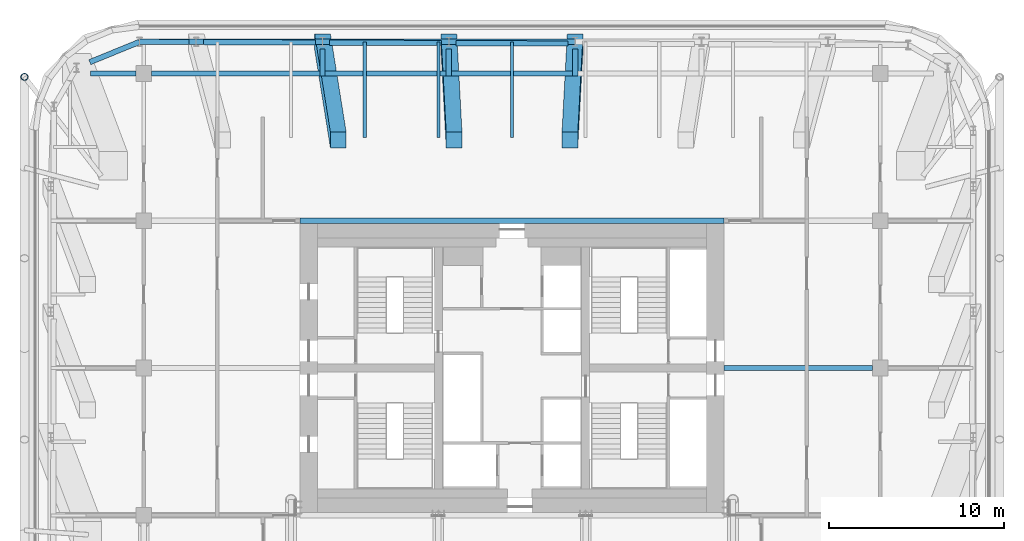
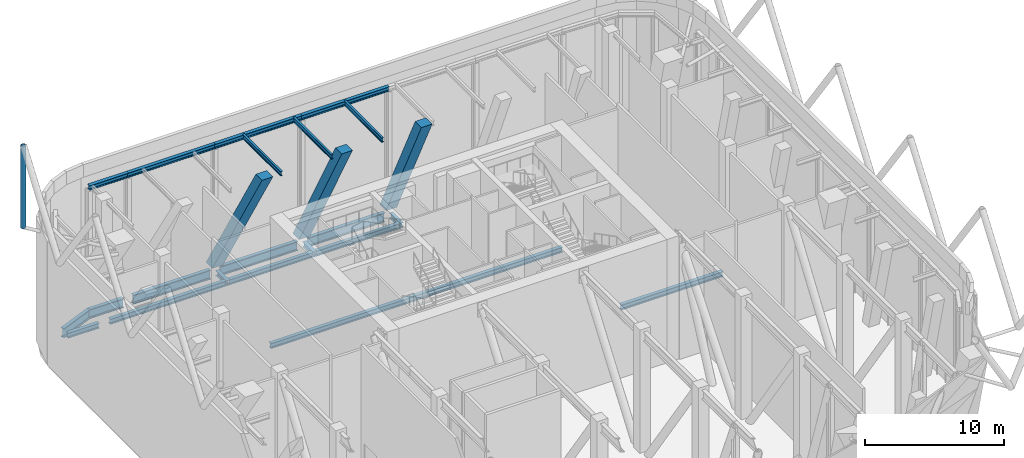
# One storey, part 7 of 20: 21 beams, 4 members.
"""IFC4 building model written with IfcOpenShell, lengths in metres."""

from ifc_helpers import new_model, si_unit, direction, frame, origin, origin_2d, place, context, subcontext, project, spatial, rectangle, hollow_circle, i_section, extrude, material, material_profile, profile_set, type_object, element, save


model = new_model("IFC4")

# Units and contexts
model_context = context("Model", 3, precision=1e-05, world=origin(), true_north=direction((0.0, 1.0)))
body_context = subcontext(model_context, "Body", "Model", "MODEL_VIEW")
ifc_project = project(units=[si_unit("LENGTHUNIT", "METRE"), si_unit("AREAUNIT", "SQUARE_METRE"), si_unit("VOLUMEUNIT", "CUBIC_METRE"), si_unit("PLANEANGLEUNIT", "RADIAN"), si_unit("MASSUNIT", "GRAM", prefix="KILO")], contexts=[model_context])

# Site, building, storey
site_placement = place(None, origin())
site = spatial("IfcSite", under=ifc_project, at=site_placement, CompositionType="ELEMENT")
building_placement = place(site_placement, origin())
building = spatial("IfcBuilding", under=site, at=building_placement, Name="Marenta Gate Hotel Tower", CompositionType="ELEMENT")
storey_placement = place(building_placement, frame((0.0, 0.0, 169.699951171875)))
storey = spatial("IfcBuildingStorey", under=building, at=storey_placement, Name="L40", CompositionType="ELEMENT", Elevation=169.699951171875)

# Member
ifc_material_1 = material(Name="Steel S355J2W", Category="steel")
ifc_material_profile_1 = material_profile(ifc_material_1, hollow_circle(Radius=0.203125, WallThickness=0.02490234375, at=origin_2d()), Name="CHS 406.4x25")
ifc_profile_set_1 = profile_set([ifc_material_profile_1], Name="Steel S355J2W")
member_type_1 = type_object("IfcMemberType", Name="Diagrid corner post Z3 CHS 406.4x25", PredefinedType="POST", material=ifc_profile_set_1)
member_1_placement = place(storey_placement, frame((-27.800048828125, 25.0, 10.340087890625), z_axis=(0.0, 0.0, 1.0), x_axis=(1.0, 0.0, 0.0)))
element("IfcMember", 1, at=member_1_placement, inside=storey, type_object=member_type_1, Name="L40-DR-6", PredefinedType="POST", context=body_context, shape_type="SweptSolid", body=[
    extrude(hollow_circle(Radius=0.203125, WallThickness=0.02490234375, at=origin_2d()), origin(), (0.0, 0.0, 1.0), 7.199951171875),
])

# Beams
ifc_material_2 = material(Name="Steel S355", Category="steel")
ifc_material_profile_2 = material_profile(ifc_material_2, i_section(OverallWidth=0.302978515625, OverallDepth=0.81396484375, WebThickness=0.030029296875, FlangeThickness=0.052001953125, FilletRadius=0.030029296875, at=origin_2d()), Name="HEM 800")
ifc_profile_set_2 = profile_set([ifc_material_profile_2], Name="Steel S355")
beam_type_1 = type_object("IfcBeamType", Name="Edge beam HEM 800", PredefinedType="SPANDREL", material=ifc_profile_set_2)
beam_1_placement = place(storey_placement, frame((-24.072509765625, 25.839111328125, -0.70703125), z_axis=(0.925565978946, 0.378586342356, 0.0), x_axis=(-0.378586342356, 0.925565978946, 0.0)))
element("IfcBeam", 2, at=beam_1_placement, inside=storey, type_object=beam_type_1, Name="L40-EB-12", PredefinedType="SPANDREL", context=body_context, shape_type="SweptSolid", body=[
    extrude(i_section(OverallWidth=0.302978515625, OverallDepth=0.81396484375, WebThickness=0.030029296875, FlangeThickness=0.052001953125, FilletRadius=0.030029296875, at=origin_2d()), origin(), (0.0, 0.0, 1.0), 3.06640625),
])
beam_2_placement = place(storey_placement, frame((-21.234375, 27.0, -0.70703125), z_axis=(0.999991706293, -0.004072756516, 0.0), x_axis=(0.004072756516, 0.999991706293, 0.0)))
element("IfcBeam", 3, at=beam_2_placement, inside=storey, type_object=beam_type_1, Name="L40-EB-13", PredefinedType="SPANDREL", context=body_context, shape_type="SweptSolid", body=[
    extrude(i_section(OverallWidth=0.302978515625, OverallDepth=0.81396484375, WebThickness=0.030029296875, FlangeThickness=0.052001953125, FilletRadius=0.030029296875, at=origin_2d()), origin(), (0.0, 0.0, 1.0), 2.8173828125),
])
beam_3_placement = place(storey_placement, frame((-17.596923828125, 26.985107421875, -0.70703125), z_axis=(0.999991780748, -0.00405443424, 0.0), x_axis=(0.00405443424, 0.999991780748, 0.0)))
element("IfcBeam", 4, at=beam_3_placement, inside=storey, type_object=beam_type_1, Name="L40-EB-14", PredefinedType="SPANDREL", context=body_context, shape_type="SweptSolid", body=[
    extrude(i_section(OverallWidth=0.302978515625, OverallDepth=0.81396484375, WebThickness=0.030029296875, FlangeThickness=0.052001953125, FilletRadius=0.030029296875, at=origin_2d()), origin(), (0.0, 0.0, 1.0), 6.3828125),
])
beam_4_placement = place(storey_placement, frame((-10.39404296875, 26.955810546875, -0.70703125), z_axis=(0.999991624297, -0.004092839529, 0.0), x_axis=(0.004092839529, 0.999991624297, 0.0)))
element("IfcBeam", 5, at=beam_4_placement, inside=storey, type_object=beam_type_1, Name="L40-EB-15", PredefinedType="SPANDREL", context=body_context, shape_type="SweptSolid", body=[
    extrude(i_section(OverallWidth=0.302978515625, OverallDepth=0.81396484375, WebThickness=0.030029296875, FlangeThickness=0.052001953125, FilletRadius=0.030029296875, at=origin_2d()), origin(), (0.0, 0.0, 1.0), 6.382568359375),
])
beam_5_placement = place(storey_placement, frame((-3.19140625, 26.926513671875, -0.70703125), z_axis=(0.999991624938, -0.004092682982, 0.0), x_axis=(0.004092682982, 0.999991624938, 0.0)))
element("IfcBeam", 6, at=beam_5_placement, inside=storey, type_object=beam_type_1, Name="L40-EB-16", PredefinedType="SPANDREL", context=body_context, shape_type="SweptSolid", body=[
    extrude(i_section(OverallWidth=0.302978515625, OverallDepth=0.81396484375, WebThickness=0.030029296875, FlangeThickness=0.052001953125, FilletRadius=0.030029296875, at=origin_2d()), origin(), (0.0, 0.0, 1.0), 6.3828125),
])

# Members
ifc_material_3 = material(Name="Concrete C70", Category="concrete")
ifc_material_profile_3 = material_profile(ifc_material_3, rectangle(XDim=0.89990234375, YDim=0.89990234375, at=origin_2d()), Name="900 x 900")
ifc_profile_set_3 = profile_set([ifc_material_profile_3], Name="Concrete C70")
member_type_2 = type_object("IfcMemberType", Name="Edge column raked 900 x 900 C70", PredefinedType="STRUT", material=ifc_profile_set_3)
member_2_placement = place(storey_placement, frame((-10.80419921875, 27.0, 0.0), z_axis=(0.0, 0.0, 1.0), x_axis=(1.0, 0.0, 0.0)))
element("IfcMember", 7, at=member_2_placement, inside=storey, type_object=member_type_2, Name="L40-EC-NW-NE-2", PredefinedType="STRUT", context=body_context, shape_type="SweptSolid", body=[
    extrude(rectangle(XDim=0.89990234375, YDim=0.89990234375, at=origin_2d()), origin(), (0.073789337553, -0.459066944614, 0.885331956966), 12.198974609375),
])
member_3_placement = place(storey_placement, frame((-3.601318359375, 27.0, 0.0), z_axis=(0.0, 0.0, 1.0), x_axis=(1.0, 0.0, 0.0)))
element("IfcMember", 8, at=member_3_placement, inside=storey, type_object=member_type_2, Name="L40-EC-NW-NE-3", PredefinedType="STRUT", context=body_context, shape_type="SweptSolid", body=[
    extrude(rectangle(XDim=0.89990234375, YDim=0.89990234375, at=origin_2d()), origin(), (0.024636134915, -0.460182135741, 0.88748265493), 12.169189453125),
])
member_4_placement = place(storey_placement, frame((3.601318359375, 27.0, 0.0), z_axis=(0.0, 0.0, 1.0), x_axis=(1.0, 0.0, 0.0)))
element("IfcMember", 9, at=member_4_placement, inside=storey, type_object=member_type_2, Name="L40-EC-NW-NE-4", PredefinedType="STRUT", context=body_context, shape_type="SweptSolid", body=[
    extrude(rectangle(XDim=0.89990234375, YDim=0.89990234375, at=origin_2d()), origin(), (-0.024636134915, -0.460182135741, 0.88748265493), 12.169189453125),
])

# Beams
ifc_material_4 = material(Name="Steel S355", Category="steel")
ifc_material_profile_4 = material_profile(ifc_material_4, i_section(OverallWidth=0.300048828125, OverallDepth=0.449951171875, WebThickness=0.013916015625, FlangeThickness=0.02587890625, FilletRadius=0.027099609375, at=origin_2d()), Name="HEB 450")
ifc_profile_set_4 = profile_set([ifc_material_profile_4], Name="Steel S355")
beam_type_2 = type_object("IfcBeamType", Name="Girder HEB 450", PredefinedType="BEAM", material=ifc_profile_set_4)
beam_6_placement = place(storey_placement, frame((12.10009765625, 8.39990234375, -0.52490234375), z_axis=(1.0, 0.0, 0.0), x_axis=(0.0, 1.0, 0.0)))
element("IfcBeam", 10, at=beam_6_placement, inside=storey, type_object=beam_type_2, Name="L40-GD-24", PredefinedType="BEAM", context=body_context, shape_type="SweptSolid", body=[
    extrude(i_section(OverallWidth=0.300048828125, OverallDepth=0.449951171875, WebThickness=0.013916015625, FlangeThickness=0.02587890625, FilletRadius=0.027099609375, at=origin_2d()), origin(), (0.0, 0.0, 1.0), 8.449951171875),
])
beam_7_placement = place(storey_placement, frame((-12.10009765625, 16.800048828125, -0.52490234375), z_axis=(1.0, 0.0, 0.0), x_axis=(0.0, 1.0, 0.0)))
element("IfcBeam", 11, at=beam_7_placement, inside=storey, type_object=beam_type_2, Name="L40-GD-28", PredefinedType="BEAM", context=body_context, shape_type="SweptSolid", body=[
    extrude(i_section(OverallWidth=0.300048828125, OverallDepth=0.449951171875, WebThickness=0.013916015625, FlangeThickness=0.02587890625, FilletRadius=0.027099609375, at=origin_2d()), origin(), (0.0, 0.0, 1.0), 24.2001953125),
])
beam_8_placement = place(storey_placement, frame((-24.035400390625, 25.199951171875, -0.52490234375), z_axis=(1.0, 0.0, 0.0), x_axis=(0.0, 1.0, 0.0)))
element("IfcBeam", 12, at=beam_8_placement, inside=storey, type_object=beam_type_2, Name="L40-GD-31", PredefinedType="BEAM", context=body_context, shape_type="SweptSolid", body=[
    extrude(i_section(OverallWidth=0.300048828125, OverallDepth=0.449951171875, WebThickness=0.013916015625, FlangeThickness=0.02587890625, FilletRadius=0.027099609375, at=origin_2d()), origin(), (0.0, 0.0, 1.0), 2.58544921875),
])
beam_9_placement = place(storey_placement, frame((-20.550048828125, 25.199951171875, -0.52490234375), z_axis=(1.0, 0.0, 0.0), x_axis=(0.0, 1.0, 0.0)))
element("IfcBeam", 13, at=beam_9_placement, inside=storey, type_object=beam_type_2, Name="L40-GD-32", PredefinedType="BEAM", context=body_context, shape_type="SweptSolid", body=[
    extrude(i_section(OverallWidth=0.300048828125, OverallDepth=0.449951171875, WebThickness=0.013916015625, FlangeThickness=0.02587890625, FilletRadius=0.027099609375, at=origin_2d()), origin(), (0.0, 0.0, 1.0), 9.595947265625),
])
beam_10_placement = place(storey_placement, frame((-10.654052734375, 25.199951171875, -0.52490234375), z_axis=(1.0, 0.0, 0.0), x_axis=(0.0, 1.0, 0.0)))
element("IfcBeam", 14, at=beam_10_placement, inside=storey, type_object=beam_type_2, Name="L40-GD-33", PredefinedType="BEAM", context=body_context, shape_type="SweptSolid", body=[
    extrude(i_section(OverallWidth=0.300048828125, OverallDepth=0.449951171875, WebThickness=0.013916015625, FlangeThickness=0.02587890625, FilletRadius=0.027099609375, at=origin_2d()), origin(), (0.0, 0.0, 1.0), 6.902587890625),
])
beam_11_placement = place(storey_placement, frame((-3.451416015625, 25.199951171875, -0.52490234375), z_axis=(1.0, 0.0, 0.0), x_axis=(0.0, 1.0, 0.0)))
element("IfcBeam", 15, at=beam_11_placement, inside=storey, type_object=beam_type_2, Name="L40-GD-34", PredefinedType="BEAM", context=body_context, shape_type="SweptSolid", body=[
    extrude(i_section(OverallWidth=0.300048828125, OverallDepth=0.449951171875, WebThickness=0.013916015625, FlangeThickness=0.02587890625, FilletRadius=0.027099609375, at=origin_2d()), origin(), (0.0, 0.0, 1.0), 6.90283203125),
])
ifc_material_5 = material(Name="Steel S355", Category="steel")
ifc_material_profile_5 = material_profile(ifc_material_5, i_section(OverallWidth=0.300048828125, OverallDepth=0.449951171875, WebThickness=0.013916015625, FlangeThickness=0.02587890625, FilletRadius=0.027099609375, at=origin_2d()), Name="HEB 450")
ifc_profile_set_5 = profile_set([ifc_material_profile_5], Name="Steel S355")
beam_type_3 = type_object("IfcBeamType", Name="Girder bracket HEB 450", PredefinedType="BEAM", material=ifc_profile_set_5)
for number, where, z_axis, x_axis, name in (
    (16, (-10.80419921875, 25.050048828125, -0.52490234375), (0.0, 1.0, 0.0), (-1.0, 0.0, 0.0), "L40-GS-1"),
    (17, (-3.601318359375, 25.050048828125, -0.52490234375), (0.0, 1.0, 0.0), (-1.0, 0.0, 0.0), "L40-GS-2"),
    (18, (3.601318359375, 25.050048828125, -0.52490234375), (0.0, 1.0, 0.0), (-1.0, 0.0, 0.0), "L40-GS-3"),
):
    element("IfcBeam", number, at=place(storey_placement, frame(where, z_axis=z_axis, x_axis=x_axis)), inside=storey, type_object=beam_type_3, Name=name, PredefinedType="BEAM", context=body_context, shape_type="SweptSolid", body=[
        extrude(i_section(OverallWidth=0.300048828125, OverallDepth=0.449951171875, WebThickness=0.013916015625, FlangeThickness=0.02587890625, FilletRadius=0.027099609375, at=origin_2d()), origin(), (0.0, 0.0, 1.0), 1.5400390625),
    ])
ifc_material_6 = material(Name="Steel S355", Category="steel")
ifc_material_profile_6 = material_profile(ifc_material_6, i_section(OverallWidth=0.179931640625, OverallDepth=0.39990234375, WebThickness=0.008544921875, FlangeThickness=0.013427734375, FilletRadius=0.02099609375, at=origin_2d()), Name="IPE 400")
ifc_profile_set_6 = profile_set([ifc_material_profile_6], Name="Steel S355")
beam_type_4 = type_object("IfcBeamType", Name="Terrace beam IPE 400", PredefinedType="JOIST", material=ifc_profile_set_6)
for number, where, z_axis, x_axis, name in (
    (19, (-8.39990234375, 21.551025390625, 10.340087890625), (0.0, 1.0, 0.0), (-1.0, 0.0, 0.0), "L40-TB-5"),
    (20, (-4.199951171875, 21.551025390625, 10.340087890625), (0.0, 1.0, 0.0), (-1.0, 0.0, 0.0), "L40-TB-6"),
    (21, (0.0, 21.551025390625, 10.340087890625), (0.0, 1.0, 0.0), (-1.0, 0.0, 0.0), "L40-TB-7"),
):
    element("IfcBeam", number, at=place(storey_placement, frame(where, z_axis=z_axis, x_axis=x_axis)), inside=storey, type_object=beam_type_4, Name=name, PredefinedType="JOIST", context=body_context, shape_type="SweptSolid", body=[
        extrude(i_section(OverallWidth=0.179931640625, OverallDepth=0.39990234375, WebThickness=0.008544921875, FlangeThickness=0.013427734375, FilletRadius=0.02099609375, at=origin_2d()), origin(), (0.0, 0.0, 1.0), 5.448974609375),
    ])
ifc_material_7 = material(Name="Steel S355", Category="steel")
ifc_material_profile_7 = material_profile(ifc_material_7, i_section(OverallWidth=0.300048828125, OverallDepth=0.39990234375, WebThickness=0.013427734375, FlangeThickness=0.02392578125, FilletRadius=0.027099609375, at=origin_2d()), Name="HEB 400")
ifc_profile_set_7 = profile_set([ifc_material_profile_7], Name="Steel S355")
beam_type_5 = type_object("IfcBeamType", Name="Terrace edge beam HEB 400", PredefinedType="SPANDREL", material=ifc_profile_set_7)
beam_12_placement = place(storey_placement, frame((-21.234375, 27.0, 10.340087890625), z_axis=(1.0, 0.0, 0.0), x_axis=(0.0, 1.0, 0.0)))
element("IfcBeam", 22, at=beam_12_placement, inside=storey, type_object=beam_type_5, Name="L40-TE-9", PredefinedType="SPANDREL", context=body_context, shape_type="SweptSolid", body=[
    extrude(i_section(OverallWidth=0.300048828125, OverallDepth=0.39990234375, WebThickness=0.013427734375, FlangeThickness=0.02392578125, FilletRadius=0.027099609375, at=origin_2d()), origin(), (0.0, 0.0, 1.0), 3.2275390625),
])
beam_13_placement = place(storey_placement, frame((-18.0068359375, 27.0, 10.340087890625), z_axis=(1.0, 0.0, 0.0), x_axis=(0.0, 1.0, 0.0)))
element("IfcBeam", 23, at=beam_13_placement, inside=storey, type_object=beam_type_5, Name="L40-TE-10", PredefinedType="SPANDREL", context=body_context, shape_type="SweptSolid", body=[
    extrude(i_section(OverallWidth=0.300048828125, OverallDepth=0.39990234375, WebThickness=0.013427734375, FlangeThickness=0.02392578125, FilletRadius=0.027099609375, at=origin_2d()), origin(), (0.0, 0.0, 1.0), 7.20263671875),
])
beam_14_placement = place(storey_placement, frame((-10.80419921875, 27.0, 10.340087890625), z_axis=(1.0, 0.0, 0.0), x_axis=(0.0, 1.0, 0.0)))
element("IfcBeam", 24, at=beam_14_placement, inside=storey, type_object=beam_type_5, Name="L40-TE-11", PredefinedType="SPANDREL", context=body_context, shape_type="SweptSolid", body=[
    extrude(i_section(OverallWidth=0.300048828125, OverallDepth=0.39990234375, WebThickness=0.013427734375, FlangeThickness=0.02392578125, FilletRadius=0.027099609375, at=origin_2d()), origin(), (0.0, 0.0, 1.0), 7.202880859375),
])
beam_15_placement = place(storey_placement, frame((-3.601318359375, 27.0, 10.340087890625), z_axis=(1.0, 0.0, 0.0), x_axis=(0.0, 1.0, 0.0)))
element("IfcBeam", 25, at=beam_15_placement, inside=storey, type_object=beam_type_5, Name="L40-TE-12", PredefinedType="SPANDREL", context=body_context, shape_type="SweptSolid", body=[
    extrude(i_section(OverallWidth=0.300048828125, OverallDepth=0.39990234375, WebThickness=0.013427734375, FlangeThickness=0.02392578125, FilletRadius=0.027099609375, at=origin_2d()), origin(), (0.0, 0.0, 1.0), 7.20263671875),
])

save(model, "model.ifc")
